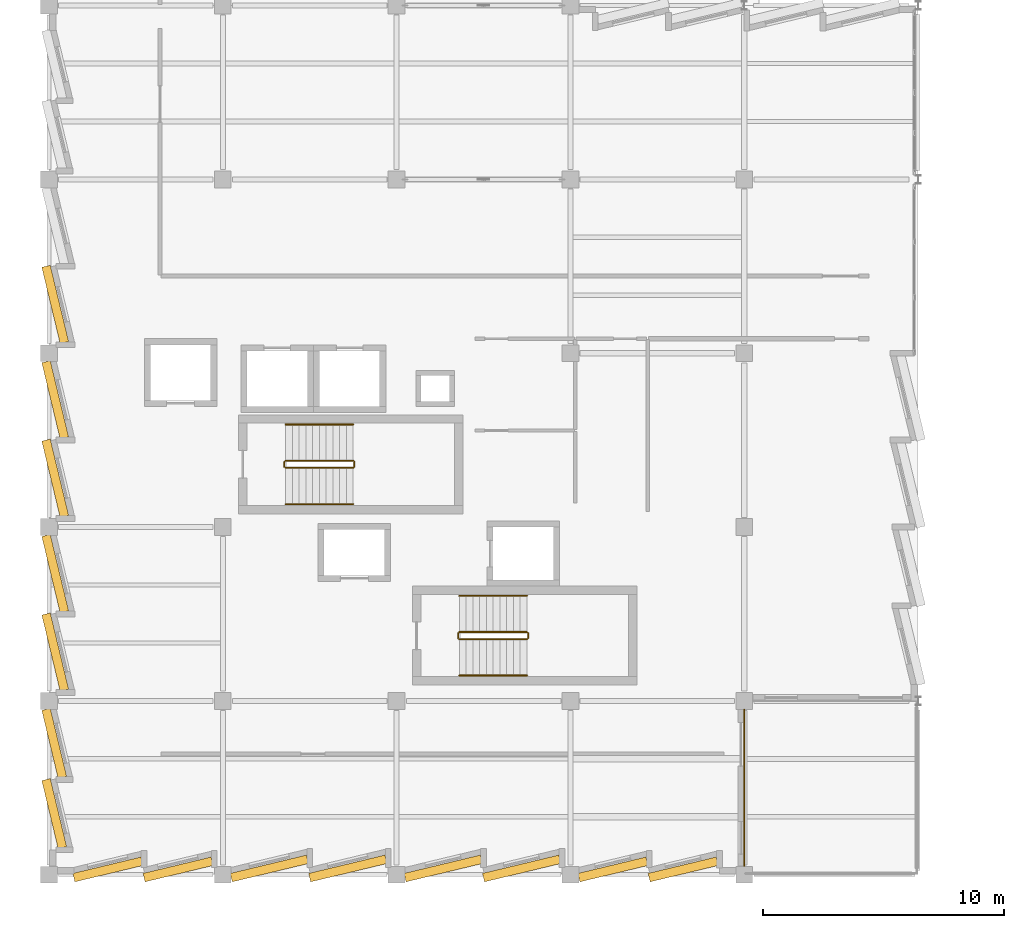
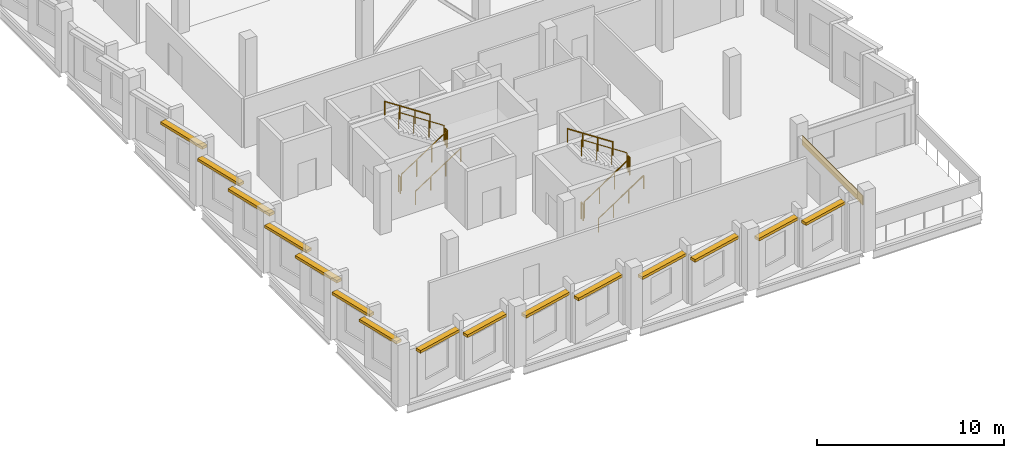
# One storey, part 35 of 38: 15 shading devices, 12 railings, 1 covering.
"""IFC4 building model written with IfcOpenShell, lengths in metres."""

from ifc_helpers import new_model, si_unit, direction, frame, origin, origin_2d, place, context, subcontext, project, spatial, rectangle, circle, extrude, material, layer, layer_set, type_object, element, save


model = new_model("IFC4")

# Units and contexts
model_context = context("Model", 3, precision=1e-05, world=origin(), true_north=direction((0.0, 1.0)))
body_context = subcontext(model_context, "Body", "Model", "MODEL_VIEW")
ifc_project = project(units=[si_unit("LENGTHUNIT", "METRE"), si_unit("AREAUNIT", "SQUARE_METRE"), si_unit("VOLUMEUNIT", "CUBIC_METRE"), si_unit("PLANEANGLEUNIT", "RADIAN"), si_unit("MASSUNIT", "GRAM", prefix="KILO")], contexts=[model_context])

# Site, building, storey
site_placement = place(None, origin())
site = spatial("IfcSite", under=ifc_project, at=site_placement, CompositionType="ELEMENT")
building_placement = place(site_placement, origin())
building = spatial("IfcBuilding", under=site, at=building_placement, Name="Kalmorath City Hall", CompositionType="ELEMENT")
storey_placement = place(building_placement, frame((0.0, 0.0, 18.89990234375)))
storey = spatial("IfcBuildingStorey", under=building, at=storey_placement, Name="L04", CompositionType="ELEMENT", Elevation=18.89990234375)

# Covering
ifc_material_1 = material(Name="Hardwood timber cladding", Category="wood")
ifc_layer_1 = layer(ifc_material_1, 0.044921875)
ifc_layer_set_1 = layer_set([ifc_layer_1], Name="Hardwood timber cladding")
covering_type = type_object("IfcCoveringType", Name="Hardwood recessed loggia wall cladding", PredefinedType="CLADDING", material=ifc_layer_set_1)
covering_placement = place(storey_placement, frame((28.794921875, 3.60009765625, 2.595947265625), z_axis=(0.0, 0.0, 1.0), x_axis=(0.0, -1.0, 0.0)))
element("IfcCovering", 1, at=covering_placement, inside=storey, type_object=covering_type, Name="L04 timber loggia lining #82", PredefinedType="CLADDING", context=body_context, shape_type="SweptSolid", body=[
    extrude(rectangle(XDim=6.498046875, YDim=0.044921875, at=origin_2d()), origin(), (0.0, 0.0, 1.0), 0.60009765625),
])

# Shading devices
ifc_material_2 = material(Name="Precast concrete C40/50", Category="concrete")
ifc_layer_2 = layer(ifc_material_2, 0.179931640625)
ifc_layer_set_2 = layer_set([ifc_layer_2], Name="Precast concrete C40/50")
shading_device_type = type_object("IfcShadingDeviceType", Name="Precast sawtooth brow sunshade 350", PredefinedType="USERDEFINED", material=ifc_layer_set_2)
for number, where, z_axis, x_axis, name in (
    (2, (26.268310546875, 0.218017578125, 3.00634765625), (0.0, 0.0, 1.0), (-0.972369920398, -0.233445363856, 0.0), "L04 precast sawtooth hood #372"),
    (3, (23.359375, 0.218017578125, 3.00634765625), (0.0, 0.0, 1.0), (-0.972369920398, -0.233445363856, 0.0), "L04 precast sawtooth hood #373"),
):
    element("IfcShadingDevice", number, at=place(storey_placement, frame(where, z_axis=z_axis, x_axis=x_axis)), inside=storey, type_object=shading_device_type, Name=name, ObjectType="SUNSHADE", PredefinedType="USERDEFINED", context=body_context, shape_type="SweptSolid", body=[
        extrude(rectangle(XDim=2.896728515625, YDim=0.360107421875, at=origin_2d()), origin(), (0.0, 0.0, 1.0), 0.179931640625),
    ])
for number, where, z_axis, x_axis, name in (
    (4, (19.578369140625, 0.2587890625, 3.00634765625), (0.0, 0.0, 1.0), (-0.972369920398, -0.233445363856, 0.0), "L04 precast sawtooth hood #374"),
    (5, (16.329345703125, 0.2587890625, 3.00634765625), (0.0, 0.0, 1.0), (-0.972369920398, -0.233445363856, 0.0), "L04 precast sawtooth hood #375"),
    (6, (12.37841796875, 0.2587890625, 3.00634765625), (0.0, 0.0, 1.0), (-0.972369920398, -0.233445363856, 0.0), "L04 precast sawtooth hood #376"),
    (7, (9.12939453125, 0.2587890625, 3.00634765625), (0.0, 0.0, 1.0), (-0.972369920398, -0.233445363856, 0.0), "L04 precast sawtooth hood #377"),
):
    element("IfcShadingDevice", number, at=place(storey_placement, frame(where, z_axis=z_axis, x_axis=x_axis)), inside=storey, type_object=shading_device_type, Name=name, ObjectType="SUNSHADE", PredefinedType="USERDEFINED", context=body_context, shape_type="SweptSolid", body=[
        extrude(rectangle(XDim=3.246337890625, YDim=0.360107421875, at=origin_2d()), origin(), (0.0, 0.0, 1.0), 0.179931640625),
    ])
for number, where, z_axis, x_axis, name in (
    (8, (5.348388671875, 0.218017578125, 3.00634765625), (0.0, 0.0, 1.0), (-0.972369920398, -0.233445363856, 0.0), "L04 precast sawtooth hood #378"),
    (9, (2.439208984375, 0.218017578125, 3.00634765625), (0.0, 0.0, 1.0), (-0.972369920398, -0.233445363856, 0.0), "L04 precast sawtooth hood #379"),
    (10, (0.218017578125, 2.53173828125, 3.00634765625), (0.0, 0.0, 1.0), (-0.233445363856, 0.972369920398, 0.0), "L04 precast sawtooth hood #380"),
    (11, (0.218017578125, 5.440673828125, 3.00634765625), (0.0, 0.0, 1.0), (-0.233445363856, 0.972369920398, 0.0), "L04 precast sawtooth hood #381"),
):
    element("IfcShadingDevice", number, at=place(storey_placement, frame(where, z_axis=z_axis, x_axis=x_axis)), inside=storey, type_object=shading_device_type, Name=name, ObjectType="SUNSHADE", PredefinedType="USERDEFINED", context=body_context, shape_type="SweptSolid", body=[
        extrude(rectangle(XDim=2.896728515625, YDim=0.360107421875, at=origin_2d()), origin(), (0.0, 0.0, 1.0), 0.179931640625),
    ])
for number, where, z_axis, x_axis, name in (
    (12, (0.2587890625, 9.2216796875, 3.00634765625), (0.0, 0.0, 1.0), (-0.233445363856, 0.972369920398, 0.0), "L04 precast sawtooth hood #382"),
    (13, (0.2587890625, 12.470703125, 3.00634765625), (0.0, 0.0, 1.0), (-0.233445363856, 0.972369920398, 0.0), "L04 precast sawtooth hood #383"),
    (14, (0.2587890625, 16.421630859375, 3.00634765625), (0.0, 0.0, 1.0), (-0.233445363856, 0.972369920398, 0.0), "L04 precast sawtooth hood #384"),
    (15, (0.2587890625, 19.670654296875, 3.00634765625), (0.0, 0.0, 1.0), (-0.233445363856, 0.972369920398, 0.0), "L04 precast sawtooth hood #385"),
    (16, (0.2587890625, 23.62158203125, 3.00634765625), (0.0, 0.0, 1.0), (-0.233445363856, 0.972369920398, 0.0), "L04 precast sawtooth hood #386"),
):
    element("IfcShadingDevice", number, at=place(storey_placement, frame(where, z_axis=z_axis, x_axis=x_axis)), inside=storey, type_object=shading_device_type, Name=name, ObjectType="SUNSHADE", PredefinedType="USERDEFINED", context=body_context, shape_type="SweptSolid", body=[
        extrude(rectangle(XDim=3.246337890625, YDim=0.360107421875, at=origin_2d()), origin(), (0.0, 0.0, 1.0), 0.179931640625),
    ])

# Railings
ifc_material_3 = material(Name="Painted steel guardrail", Category="steel")
railing_type_1 = type_object("IfcRailingType", Name="Protected stair guardrail 1100", PredefinedType="GUARDRAIL", material=ifc_material_3)
railing_1_placement = place(storey_placement, frame((9.800048828125, 16.85009765625, 0.18408203125)))
element("IfcRailing", 17, at=railing_1_placement, inside=storey, type_object=railing_type_1, Name="L04 ST-1 stair guard 1", PredefinedType="GUARDRAIL", context=body_context, shape_type="SweptSolid", body=[
    extrude(circle(Radius=0.02392578125, at=origin_2d()), frame((0.0, 0.0, 1.076171875), z_axis=(0.83556406348, 0.0, 0.549393024911), x_axis=(0.0, 1.0, 0.0)), (0.0, 0.0, 1.0), 3.35107421875),
    extrude(circle(Radius=0.02099609375, at=origin_2d()), origin(), (0.0, 0.0, 1.0), 1.052001953125),
    extrude(circle(Radius=0.02099609375, at=origin_2d()), frame((0.933349609375, 0.0, 0.61376953125)), (0.0, 0.0, 1.0), 1.052001953125),
    extrude(circle(Radius=0.02099609375, at=origin_2d()), frame((1.86669921875, 0.0, 1.227294921875)), (0.0, 0.0, 1.0), 1.052001953125),
    extrude(circle(Radius=0.02099609375, at=origin_2d()), frame((2.800048828125, 0.0, 1.841064453125)), (0.0, 0.0, 1.0), 1.052001953125),
])
railing_2_placement = place(storey_placement, frame((12.64990234375, 16.89990234375, 2.025146484375)))
element("IfcRailing", 18, at=railing_2_placement, inside=storey, type_object=railing_type_1, Name="L04 ST-1 stair guard 2", PredefinedType="GUARDRAIL", context=body_context, shape_type="SweptSolid", body=[
    extrude(circle(Radius=0.02392578125, at=origin_2d()), frame((0.0, 0.0, 1.076171875), z_axis=(0.0, 1.0, 0.0), x_axis=(-1.0, 0.0, 0.0)), (0.0, 0.0, 1.0), 0.2001953125),
    extrude(circle(Radius=0.02099609375, at=origin_2d()), origin(), (0.0, 0.0, 1.0), 1.052001953125),
    extrude(circle(Radius=0.02099609375, at=origin_2d()), frame((0.0, 0.2001953125, 0.0)), (0.0, 0.0, 1.0), 1.052001953125),
])
railing_3_placement = place(storey_placement, frame((12.60009765625, 17.14990234375, 2.209228515625)))
element("IfcRailing", 19, at=railing_3_placement, inside=storey, type_object=railing_type_1, Name="L04 ST-1 stair guard 3", PredefinedType="GUARDRAIL", context=body_context, shape_type="SweptSolid", body=[
    extrude(circle(Radius=0.02392578125, at=origin_2d()), frame((0.0, 0.0, 1.076171875), z_axis=(-0.835597507184, 0.0, 0.549342157483), x_axis=(0.0, -1.0, 0.0)), (0.0, 0.0, 1.0), 3.35107421875),
    extrude(circle(Radius=0.02099609375, at=origin_2d()), origin(), (0.0, 0.0, 1.0), 1.052001953125),
    extrude(circle(Radius=0.02099609375, at=origin_2d()), frame((-0.933349609375, 0.0, 0.613525390625)), (0.0, 0.0, 1.0), 1.052001953125),
    extrude(circle(Radius=0.02099609375, at=origin_2d()), frame((-1.86669921875, 0.0, 1.227294921875)), (0.0, 0.0, 1.0), 1.052001953125),
    extrude(circle(Radius=0.02099609375, at=origin_2d()), frame((-2.800048828125, 0.0, 1.8408203125)), (0.0, 0.0, 1.0), 1.052001953125),
])
railing_4_placement = place(storey_placement, frame((9.75, 16.89990234375, 0.0)))
element("IfcRailing", 20, at=railing_4_placement, inside=storey, type_object=railing_type_1, Name="L04 ST-1 stair guard 4", PredefinedType="GUARDRAIL", context=body_context, shape_type="SweptSolid", body=[
    extrude(circle(Radius=0.02392578125, at=origin_2d()), frame((0.0, 0.0, 1.076171875), z_axis=(0.0, 1.0, 0.0), x_axis=(-1.0, 0.0, 0.0)), (0.0, 0.0, 1.0), 0.2001953125),
    extrude(circle(Radius=0.02099609375, at=origin_2d()), origin(), (0.0, 0.0, 1.0), 1.052001953125),
    extrude(circle(Radius=0.02099609375, at=origin_2d()), frame((0.0, 0.2001953125, 0.0)), (0.0, 0.0, 1.0), 1.052001953125),
])
railing_5_placement = place(storey_placement, frame((17.0, 9.75, 0.18408203125)))
element("IfcRailing", 21, at=railing_5_placement, inside=storey, type_object=railing_type_1, Name="L04 ST-2 stair guard 1", PredefinedType="GUARDRAIL", context=body_context, shape_type="SweptSolid", body=[
    extrude(circle(Radius=0.02392578125, at=origin_2d()), frame((0.0, 0.0, 1.076171875), z_axis=(0.83556406348, 0.0, 0.549393024911), x_axis=(0.0, 1.0, 0.0)), (0.0, 0.0, 1.0), 3.35107421875),
    extrude(circle(Radius=0.02099609375, at=origin_2d()), origin(), (0.0, 0.0, 1.0), 1.052001953125),
    extrude(circle(Radius=0.02099609375, at=origin_2d()), frame((0.933349609375, 0.0, 0.61376953125)), (0.0, 0.0, 1.0), 1.052001953125),
    extrude(circle(Radius=0.02099609375, at=origin_2d()), frame((1.86669921875, 0.0, 1.227294921875)), (0.0, 0.0, 1.0), 1.052001953125),
    extrude(circle(Radius=0.02099609375, at=origin_2d()), frame((2.800048828125, 0.0, 1.841064453125)), (0.0, 0.0, 1.0), 1.052001953125),
])
railing_6_placement = place(storey_placement, frame((19.85009765625, 9.800048828125, 2.025146484375)))
element("IfcRailing", 22, at=railing_6_placement, inside=storey, type_object=railing_type_1, Name="L04 ST-2 stair guard 2", PredefinedType="GUARDRAIL", context=body_context, shape_type="SweptSolid", body=[
    extrude(circle(Radius=0.02392578125, at=origin_2d()), frame((0.0, 0.0, 1.076171875), z_axis=(0.0, 1.0, 0.0), x_axis=(-1.0, 0.0, 0.0)), (0.0, 0.0, 1.0), 0.199951171875),
    extrude(circle(Radius=0.02099609375, at=origin_2d()), origin(), (0.0, 0.0, 1.0), 1.052001953125),
    extrude(circle(Radius=0.02099609375, at=origin_2d()), frame((0.0, 0.199951171875, 0.0)), (0.0, 0.0, 1.0), 1.052001953125),
])
railing_7_placement = place(storey_placement, frame((19.800048828125, 10.050048828125, 2.209228515625)))
element("IfcRailing", 23, at=railing_7_placement, inside=storey, type_object=railing_type_1, Name="L04 ST-2 stair guard 3", PredefinedType="GUARDRAIL", context=body_context, shape_type="SweptSolid", body=[
    extrude(circle(Radius=0.02392578125, at=origin_2d()), frame((0.0, 0.0, 1.076171875), z_axis=(-0.835597507184, 0.0, 0.549342157483), x_axis=(0.0, -1.0, 0.0)), (0.0, 0.0, 1.0), 3.35107421875),
    extrude(circle(Radius=0.02099609375, at=origin_2d()), origin(), (0.0, 0.0, 1.0), 1.052001953125),
    extrude(circle(Radius=0.02099609375, at=origin_2d()), frame((-0.933349609375, 0.0, 0.613525390625)), (0.0, 0.0, 1.0), 1.052001953125),
    extrude(circle(Radius=0.02099609375, at=origin_2d()), frame((-1.86669921875, 0.0, 1.227294921875)), (0.0, 0.0, 1.0), 1.052001953125),
    extrude(circle(Radius=0.02099609375, at=origin_2d()), frame((-2.800048828125, 0.0, 1.8408203125)), (0.0, 0.0, 1.0), 1.052001953125),
])
railing_8_placement = place(storey_placement, frame((16.949951171875, 9.800048828125, 0.0)))
element("IfcRailing", 24, at=railing_8_placement, inside=storey, type_object=railing_type_1, Name="L04 ST-2 stair guard 4", PredefinedType="GUARDRAIL", context=body_context, shape_type="SweptSolid", body=[
    extrude(circle(Radius=0.02392578125, at=origin_2d()), frame((0.0, 0.0, 1.076171875), z_axis=(0.0, 1.0, 0.0), x_axis=(-1.0, 0.0, 0.0)), (0.0, 0.0, 1.0), 0.199951171875),
    extrude(circle(Radius=0.02099609375, at=origin_2d()), origin(), (0.0, 0.0, 1.0), 1.052001953125),
    extrude(circle(Radius=0.02099609375, at=origin_2d()), frame((0.0, 0.199951171875, 0.0)), (0.0, 0.0, 1.0), 1.052001953125),
])
ifc_material_4 = material(Name="Brushed stainless steel handrail", Category="steel")
railing_type_2 = type_object("IfcRailingType", Name="Stair pitch handrail 900", PredefinedType="HANDRAIL", material=ifc_material_4)
railing_9_placement = place(storey_placement, frame((9.800048828125, 15.35009765625, 0.18408203125)))
element("IfcRailing", 25, at=railing_9_placement, inside=storey, type_object=railing_type_2, Name="L04 ST-1 stair handrail 1", PredefinedType="HANDRAIL", context=body_context, shape_type="SweptSolid", body=[
    extrude(circle(Radius=0.02392578125, at=origin_2d()), frame((0.0, 0.0, 0.8759765625), z_axis=(0.83556406348, 0.0, 0.549393024911), x_axis=(0.0, 1.0, 0.0)), (0.0, 0.0, 1.0), 3.35107421875),
    extrude(circle(Radius=0.02099609375, at=origin_2d()), origin(), (0.0, 0.0, 1.0), 0.851806640625),
    extrude(circle(Radius=0.02099609375, at=origin_2d()), frame((0.933349609375, 0.0, 0.61376953125)), (0.0, 0.0, 1.0), 0.851806640625),
    extrude(circle(Radius=0.02099609375, at=origin_2d()), frame((1.86669921875, 0.0, 1.227294921875)), (0.0, 0.0, 1.0), 0.851806640625),
    extrude(circle(Radius=0.02099609375, at=origin_2d()), frame((2.800048828125, 0.0, 1.841064453125)), (0.0, 0.0, 1.0), 0.851806640625),
])
railing_10_placement = place(storey_placement, frame((12.60009765625, 18.64990234375, 2.209228515625)))
element("IfcRailing", 26, at=railing_10_placement, inside=storey, type_object=railing_type_2, Name="L04 ST-1 stair handrail 2", PredefinedType="HANDRAIL", context=body_context, shape_type="SweptSolid", body=[
    extrude(circle(Radius=0.02392578125, at=origin_2d()), frame((0.0, 0.0, 0.8759765625), z_axis=(-0.835597507184, 0.0, 0.549342157483), x_axis=(0.0, -1.0, 0.0)), (0.0, 0.0, 1.0), 3.35107421875),
    extrude(circle(Radius=0.02099609375, at=origin_2d()), origin(), (0.0, 0.0, 1.0), 0.851806640625),
    extrude(circle(Radius=0.02099609375, at=origin_2d()), frame((-0.933349609375, 0.0, 0.613525390625)), (0.0, 0.0, 1.0), 0.851806640625),
    extrude(circle(Radius=0.02099609375, at=origin_2d()), frame((-1.86669921875, 0.0, 1.227294921875)), (0.0, 0.0, 1.0), 0.851806640625),
    extrude(circle(Radius=0.02099609375, at=origin_2d()), frame((-2.800048828125, 0.0, 1.8408203125)), (0.0, 0.0, 1.0), 0.851806640625),
])
railing_11_placement = place(storey_placement, frame((17.0, 8.25, 0.18408203125)))
element("IfcRailing", 27, at=railing_11_placement, inside=storey, type_object=railing_type_2, Name="L04 ST-2 stair handrail 1", PredefinedType="HANDRAIL", context=body_context, shape_type="SweptSolid", body=[
    extrude(circle(Radius=0.02392578125, at=origin_2d()), frame((0.0, 0.0, 0.8759765625), z_axis=(0.83556406348, 0.0, 0.549393024911), x_axis=(0.0, 1.0, 0.0)), (0.0, 0.0, 1.0), 3.35107421875),
    extrude(circle(Radius=0.02099609375, at=origin_2d()), origin(), (0.0, 0.0, 1.0), 0.851806640625),
    extrude(circle(Radius=0.02099609375, at=origin_2d()), frame((0.933349609375, 0.0, 0.61376953125)), (0.0, 0.0, 1.0), 0.851806640625),
    extrude(circle(Radius=0.02099609375, at=origin_2d()), frame((1.86669921875, 0.0, 1.227294921875)), (0.0, 0.0, 1.0), 0.851806640625),
    extrude(circle(Radius=0.02099609375, at=origin_2d()), frame((2.800048828125, 0.0, 1.841064453125)), (0.0, 0.0, 1.0), 0.851806640625),
])
railing_12_placement = place(storey_placement, frame((19.800048828125, 11.550048828125, 2.209228515625)))
element("IfcRailing", 28, at=railing_12_placement, inside=storey, type_object=railing_type_2, Name="L04 ST-2 stair handrail 2", PredefinedType="HANDRAIL", context=body_context, shape_type="SweptSolid", body=[
    extrude(circle(Radius=0.02392578125, at=origin_2d()), frame((0.0, 0.0, 0.8759765625), z_axis=(-0.835597507184, 0.0, 0.549342157483), x_axis=(0.0, -1.0, 0.0)), (0.0, 0.0, 1.0), 3.35107421875),
    extrude(circle(Radius=0.02099609375, at=origin_2d()), origin(), (0.0, 0.0, 1.0), 0.851806640625),
    extrude(circle(Radius=0.02099609375, at=origin_2d()), frame((-0.933349609375, 0.0, 0.613525390625)), (0.0, 0.0, 1.0), 0.851806640625),
    extrude(circle(Radius=0.02099609375, at=origin_2d()), frame((-1.86669921875, 0.0, 1.227294921875)), (0.0, 0.0, 1.0), 0.851806640625),
    extrude(circle(Radius=0.02099609375, at=origin_2d()), frame((-2.800048828125, 0.0, 1.8408203125)), (0.0, 0.0, 1.0), 0.851806640625),
])

save(model, "model.ifc")
